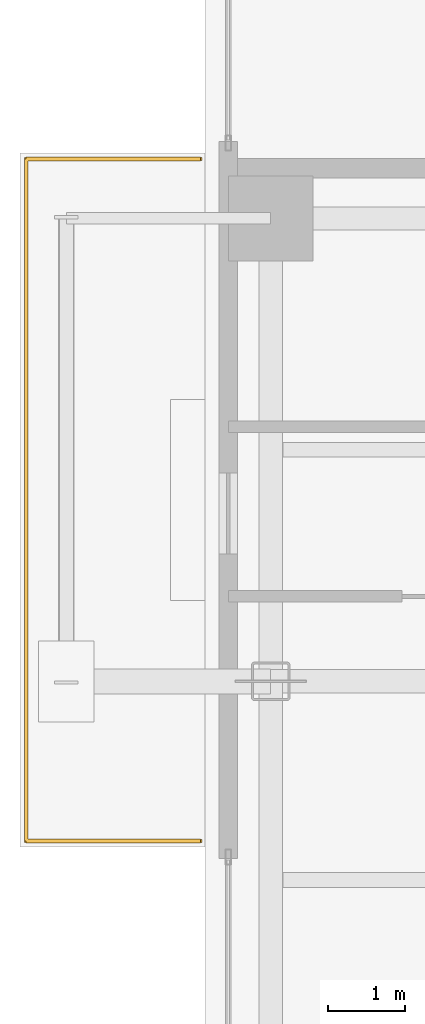
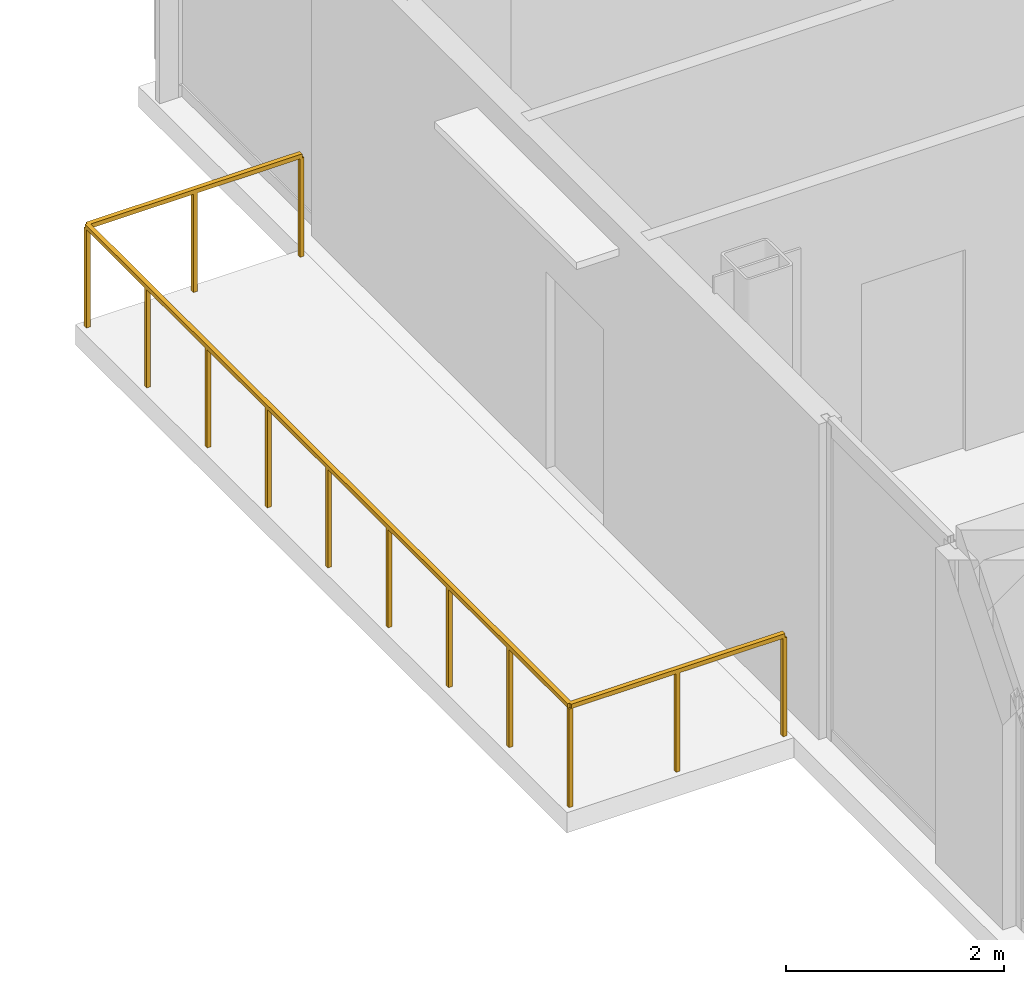
# One storey, part 28 of 28: 1 railing.
"""IFC4 building model written with IfcOpenShell, lengths in metres."""

from ifc_helpers import new_model, si_unit, direction, frame, origin, origin_2d, place, context, subcontext, project, spatial, rectangle, extrude, material, type_object, element, save


model = new_model("IFC4")

# Units and contexts
model_context = context("Model", 3, precision=1e-05, world=origin(), true_north=direction((0.0, 1.0)))
body_context = subcontext(model_context, "Body", "Model", "MODEL_VIEW")
ifc_project = project(units=[si_unit("LENGTHUNIT", "METRE"), si_unit("AREAUNIT", "SQUARE_METRE"), si_unit("VOLUMEUNIT", "CUBIC_METRE"), si_unit("PLANEANGLEUNIT", "RADIAN"), si_unit("MASSUNIT", "GRAM", prefix="KILO"), si_unit("THERMODYNAMICTEMPERATUREUNIT", "KELVIN"), si_unit("POWERUNIT", "WATT")], contexts=[model_context])

# Site, building, storey
site_placement = place(None, origin())
site = spatial("IfcSite", under=ifc_project, at=site_placement, CompositionType="ELEMENT")
building_placement = place(site_placement, origin())
building = spatial("IfcBuilding", under=site, at=building_placement, Name="Svarakhadi Broadcast Tower", CompositionType="ELEMENT")
storey_placement = place(building_placement, frame((0.0, 0.0, 134.39990234375)))
storey = spatial("IfcBuildingStorey", under=building, at=storey_placement, Name="L32", CompositionType="ELEMENT", Elevation=134.39990234375)

# Railing
ifc_material = material(Name="Laminated Structural SentryGlas Balustrade 25.5 mm", Category="glass")
railing_type = type_object("IfcRailingType", Name="Guard_Balcony_GR01", PredefinedType="BALUSTRADE", material=ifc_material)
railing_placement = place(storey_placement, frame((-0.06005859375, 27.080078125, 0.0)))
element("IfcRailing", 1, at=railing_placement, inside=storey, type_object=railing_type, Name="L32 West Tree Balcony Guard GR-05", PredefinedType="BALUSTRADE", context=body_context, shape_type="SweptSolid", body=[
    extrude(rectangle(XDim=0.048095703125, YDim=0.048095703125, at=origin_2d()), frame((0.0, 0.0, 1.1259765625), z_axis=(-1.0, 0.0, 0.0), x_axis=(0.0, -1.0, 0.0)), (0.0, 0.0, 1.0), 2.260009765625),
    extrude(rectangle(XDim=0.048095703125, YDim=0.048095703125, at=origin_2d()), frame((-2.260009765625, 0.0, 1.1259765625), z_axis=(0.0, 1.0, 0.0), x_axis=(-1.0, 0.0, 0.0)), (0.0, 0.0, 1.0), 8.83984375),
    extrude(rectangle(XDim=0.048095703125, YDim=0.048095703125, at=origin_2d()), frame((-2.260009765625, 8.83984375, 1.1259765625), z_axis=(1.0, 0.0, 0.0), x_axis=(0.0, 1.0, 0.0)), (0.0, 0.0, 1.0), 2.260009765625),
    extrude(rectangle(XDim=0.0419921875, YDim=0.0419921875, at=origin_2d()), origin(), (0.0, 0.0, 1.0), 1.101806640625),
    extrude(rectangle(XDim=0.0419921875, YDim=0.0419921875, at=origin_2d()), frame((-1.1298828125, 0.0, 0.0)), (0.0, 0.0, 1.0), 1.101806640625),
    extrude(rectangle(XDim=0.0419921875, YDim=0.0419921875, at=origin_2d()), frame((-2.260009765625, 0.0, 0.0)), (0.0, 0.0, 1.0), 1.101806640625),
    extrude(rectangle(XDim=0.0419921875, YDim=0.0419921875, at=origin_2d()), frame((-2.260009765625, 1.10498046875, 0.0)), (0.0, 0.0, 1.0), 1.101806640625),
    extrude(rectangle(XDim=0.0419921875, YDim=0.0419921875, at=origin_2d()), frame((-2.260009765625, 2.2099609375, 0.0)), (0.0, 0.0, 1.0), 1.101806640625),
    extrude(rectangle(XDim=0.0419921875, YDim=0.0419921875, at=origin_2d()), frame((-2.260009765625, 3.31494140625, 0.0)), (0.0, 0.0, 1.0), 1.101806640625),
    extrude(rectangle(XDim=0.0419921875, YDim=0.0419921875, at=origin_2d()), frame((-2.260009765625, 4.419921875, 0.0)), (0.0, 0.0, 1.0), 1.101806640625),
    extrude(rectangle(XDim=0.0419921875, YDim=0.0419921875, at=origin_2d()), frame((-2.260009765625, 5.52490234375, 0.0)), (0.0, 0.0, 1.0), 1.101806640625),
    extrude(rectangle(XDim=0.0419921875, YDim=0.0419921875, at=origin_2d()), frame((-2.260009765625, 6.6298828125, 0.0)), (0.0, 0.0, 1.0), 1.101806640625),
    extrude(rectangle(XDim=0.0419921875, YDim=0.0419921875, at=origin_2d()), frame((-2.260009765625, 7.73486328125, 0.0)), (0.0, 0.0, 1.0), 1.101806640625),
    extrude(rectangle(XDim=0.0419921875, YDim=0.0419921875, at=origin_2d()), frame((-2.260009765625, 8.83984375, 0.0)), (0.0, 0.0, 1.0), 1.101806640625),
    extrude(rectangle(XDim=0.0419921875, YDim=0.0419921875, at=origin_2d()), frame((-1.1298828125, 8.83984375, 0.0)), (0.0, 0.0, 1.0), 1.101806640625),
    extrude(rectangle(XDim=0.0419921875, YDim=0.0419921875, at=origin_2d()), frame((0.0, 8.83984375, 0.0)), (0.0, 0.0, 1.0), 1.101806640625),
])

save(model, "model.ifc")
